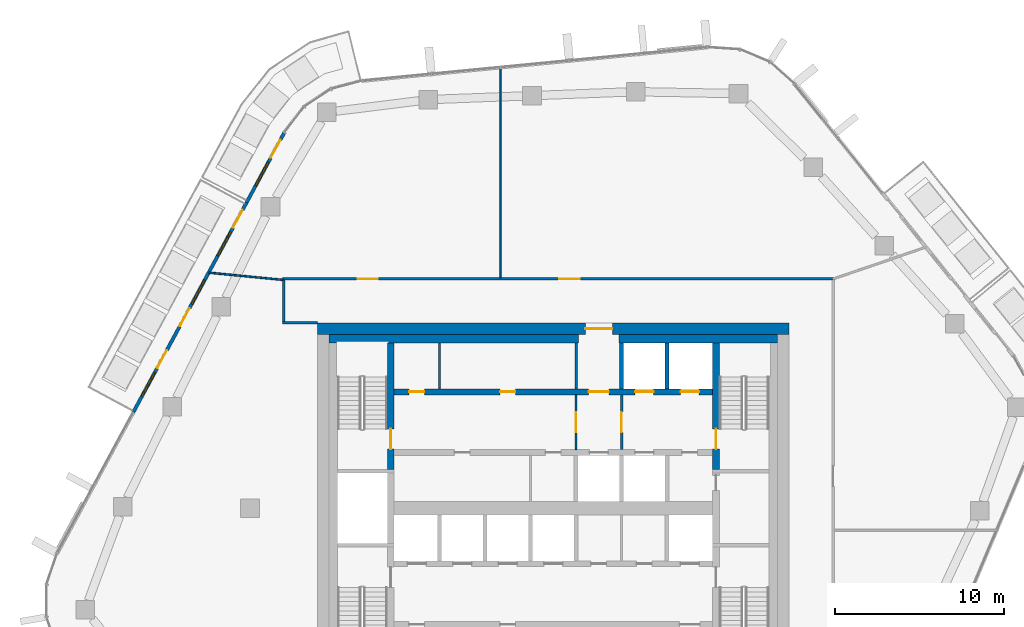
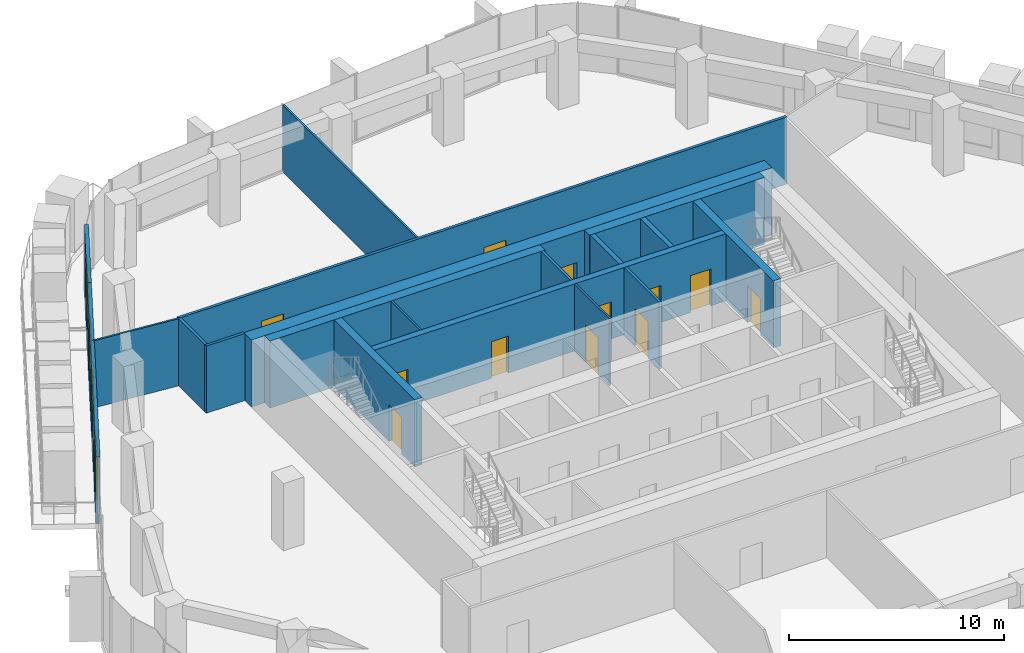
# One storey, part 13 of 20: 19 walls, 16 doors, 4 windows, 20 openings.
"""IFC4 building model written with IfcOpenShell, lengths in metres."""

from ifc_helpers import new_model, si_unit, direction, frame, frame_2d, origin, place, context, subcontext, project, spatial, rectangle, extrude, material, layer, layer_set, type_object, element, fill, save


model = new_model("IFC4")

# Units and contexts
model_context = context("Model", 3, precision=1e-05, world=origin(), true_north=direction((0.0, 1.0)))
body_context = subcontext(model_context, "Body", "Model", "MODEL_VIEW")
ifc_project = project(units=[si_unit("LENGTHUNIT", "METRE"), si_unit("AREAUNIT", "SQUARE_METRE"), si_unit("VOLUMEUNIT", "CUBIC_METRE"), si_unit("PLANEANGLEUNIT", "RADIAN"), si_unit("MASSUNIT", "GRAM", prefix="KILO")], contexts=[model_context])

# Site, building, storey
site_placement = place(None, origin())
site = spatial("IfcSite", under=ifc_project, at=site_placement, CompositionType="ELEMENT")
building_placement = place(site_placement, origin())
building = spatial("IfcBuilding", under=site, at=building_placement, Name="Dongbaek Canopy Tower", CompositionType="ELEMENT")
storey_placement = place(building_placement, frame((0.0, 0.0, 258.0)))
storey = spatial("IfcBuildingStorey", under=building, at=storey_placement, Name="L54", CompositionType="ELEMENT", Elevation=258.0)

# Wall, openings, doors
ifc_material_1 = material(Name="Concrete C60/75", Category="concrete")
ifc_layer_1 = layer(ifc_material_1, 0.35009765625)
ifc_layer_set_1 = layer_set([ifc_layer_1], Name="Core lobby wall 350 Concrete C60/75")
wall_type_1 = type_object("IfcWallType", Name="Core lobby wall 350 Concrete C60/75", PredefinedType="SHEAR", material=ifc_layer_set_1)
wall_1_placement = place(storey_placement, frame((-9.449951171875, 6.89990234375, 0.0), z_axis=(0.0, 0.0, 1.0), x_axis=(1.0, 0.0, 0.0)))
wall_1 = element("IfcWall", 1, at=wall_1_placement, inside=storey, type_object=wall_type_1, Name="Core wall", PredefinedType="SHEAR", context=body_context, shape_type="SweptSolid", body=[
    extrude(rectangle(XDim=18.89990234375, YDim=0.35009765625, at=frame_2d((9.449951171875, 0.0))), origin(), (0.0, 0.0, 1.0), 3.820068359375),
])
opening_1_placement = place(wall_1_placement, frame((11.550048828125, 0.0, 0.0)))
opening_1 = element("IfcOpeningElement", 2, at=opening_1_placement, cuts=wall_1, Name="Opening L54-D010", PredefinedType="OPENING", context=body_context, shape_type="SweptSolid", body=[
    extrude(rectangle(XDim=1.199951171875, YDim=2.10009765625, at=frame_2d((0.60009765625, 1.050048828125))), frame((0.0, 0.18505859375, 0.0), z_axis=(0.0, -1.0, 0.0), x_axis=(1.0, 0.0, 0.0)), (0.0, 0.0, 1.0), 0.3701171875),
])
opening_2_placement = place(wall_1_placement, frame((14.300048828125, 0.0, 0.0)))
opening_2 = element("IfcOpeningElement", 3, at=opening_2_placement, cuts=wall_1, Name="Opening L54-D011", PredefinedType="OPENING", context=body_context, shape_type="SweptSolid", body=[
    extrude(rectangle(XDim=1.10009765625, YDim=2.10009765625, at=frame_2d((0.550048828125, 1.050048828125))), frame((0.0, 0.18505859375, 0.0), z_axis=(0.0, -1.0, 0.0), x_axis=(1.0, 0.0, 0.0)), (0.0, 0.0, 1.0), 0.3701171875),
])
opening_3_placement = place(wall_1_placement, frame((17.0, 0.0, 0.0)))
opening_3 = element("IfcOpeningElement", 4, at=opening_3_placement, cuts=wall_1, Name="Opening L54-D012", PredefinedType="OPENING", context=body_context, shape_type="SweptSolid", body=[
    extrude(rectangle(XDim=1.10009765625, YDim=2.10009765625, at=frame_2d((0.550048828125, 1.050048828125))), frame((0.0, 0.18505859375, 0.0), z_axis=(0.0, -1.0, 0.0), x_axis=(1.0, 0.0, 0.0)), (0.0, 0.0, 1.0), 0.3701171875),
])
opening_4_placement = place(wall_1_placement, frame((0.89990234375, 0.0, 0.0)))
opening_4 = element("IfcOpeningElement", 5, at=opening_4_placement, cuts=wall_1, Name="Opening L54-D023", PredefinedType="OPENING", context=body_context, shape_type="SweptSolid", body=[
    extrude(rectangle(XDim=0.89990234375, YDim=2.10009765625, at=frame_2d((0.449951171875, 1.050048828125))), frame((0.0, 0.18505859375, 0.0), z_axis=(0.0, -1.0, 0.0), x_axis=(1.0, 0.0, 0.0)), (0.0, 0.0, 1.0), 0.3701171875),
])
opening_5_placement = place(wall_1_placement, frame((6.300048828125, 0.0, 0.0)))
opening_5 = element("IfcOpeningElement", 6, at=opening_5_placement, cuts=wall_1, Name="Opening L54-D024", PredefinedType="OPENING", context=body_context, shape_type="SweptSolid", body=[
    extrude(rectangle(XDim=0.89990234375, YDim=2.10009765625, at=frame_2d((0.449951171875, 1.050048828125))), frame((0.0, 0.18505859375, 0.0), z_axis=(0.0, -1.0, 0.0), x_axis=(1.0, 0.0, 0.0)), (0.0, 0.0, 1.0), 0.3701171875),
])
ifc_material_2 = material(Name="Steel", Category="steel")
door_type_1 = type_object("IfcDoorType", Name="Core room door 900 x 2100", OperationType="SINGLE_SWING_LEFT", PredefinedType="DOOR", material=ifc_material_2)
door_1_placement = place(opening_4_placement, origin())
door_1 = element("IfcDoor", 7, at=door_1_placement, inside=storey, type_object=door_type_1, Name="Door L54-D023", OperationType="SINGLE_SWING_RIGHT", OverallHeight=2.10009765625, OverallWidth=0.89990234375, PredefinedType="DOOR", context=body_context, shape_type="SweptSolid", body=[
    extrude(rectangle(XDim=0.89990234375, YDim=2.10009765625, at=frame_2d((0.449951171875, 1.050048828125))), frame((0.0, 0.02490234375, 0.0), z_axis=(0.0, -1.0, 0.0), x_axis=(1.0, 0.0, 0.0)), (0.0, 0.0, 1.0), 0.050048828125),
])
fill(opening_4, door_1)
door_2_placement = place(opening_5_placement, origin())
door_2 = element("IfcDoor", 8, at=door_2_placement, inside=storey, type_object=door_type_1, Name="Door L54-D024", OperationType="SINGLE_SWING_LEFT", OverallHeight=2.10009765625, OverallWidth=0.89990234375, PredefinedType="DOOR", context=body_context, shape_type="SweptSolid", body=[
    extrude(rectangle(XDim=0.89990234375, YDim=2.10009765625, at=frame_2d((0.449951171875, 1.050048828125))), frame((0.0, 0.02490234375, 0.0), z_axis=(0.0, -1.0, 0.0), x_axis=(1.0, 0.0, 0.0)), (0.0, 0.0, 1.0), 0.050048828125),
])
fill(opening_5, door_2)
ifc_material_3 = material(Name="Steel", Category="steel")
door_type_2 = type_object("IfcDoorType", Name="Fire lobby door 1200 x 2100", OperationType="SINGLE_SWING_LEFT", PredefinedType="DOOR", material=ifc_material_3)
door_3_placement = place(opening_1_placement, origin())
door_3 = element("IfcDoor", 9, at=door_3_placement, inside=storey, type_object=door_type_2, Name="Door L54-D010", OperationType="SINGLE_SWING_LEFT", OverallHeight=2.10009765625, OverallWidth=1.199951171875, PredefinedType="DOOR", context=body_context, shape_type="SweptSolid", body=[
    extrude(rectangle(XDim=1.199951171875, YDim=2.10009765625, at=frame_2d((0.60009765625, 1.050048828125))), frame((0.0, 0.02490234375, 0.0), z_axis=(0.0, -1.0, 0.0), x_axis=(1.0, 0.0, 0.0)), (0.0, 0.0, 1.0), 0.050048828125),
])
fill(opening_1, door_3)
ifc_material_4 = material(Name="Stainless steel", Category="steel")
door_type_3 = type_object("IfcDoorType", Name="Lift landing door 1100 x 2100", OperationType="DOUBLE_DOOR_SLIDING", PredefinedType="DOOR", material=ifc_material_4)
door_4_placement = place(opening_2_placement, origin())
door_4 = element("IfcDoor", 10, at=door_4_placement, inside=storey, type_object=door_type_3, Name="Landing door FF1", OperationType="DOUBLE_DOOR_SLIDING", OverallHeight=2.10009765625, OverallWidth=1.10009765625, PredefinedType="DOOR", context=body_context, shape_type="SweptSolid", body=[
    extrude(rectangle(XDim=1.10009765625, YDim=2.10009765625, at=frame_2d((0.550048828125, 1.050048828125))), frame((0.0, 0.02490234375, 0.0), z_axis=(0.0, -1.0, 0.0), x_axis=(1.0, 0.0, 0.0)), (0.0, 0.0, 1.0), 0.050048828125),
])
fill(opening_2, door_4)
door_5_placement = place(opening_3_placement, origin())
door_5 = element("IfcDoor", 11, at=door_5_placement, inside=storey, type_object=door_type_3, Name="Landing door FF2", OperationType="DOUBLE_DOOR_SLIDING", OverallHeight=2.10009765625, OverallWidth=1.10009765625, PredefinedType="DOOR", context=body_context, shape_type="SweptSolid", body=[
    extrude(rectangle(XDim=1.10009765625, YDim=2.10009765625, at=frame_2d((0.550048828125, 1.050048828125))), frame((0.0, 0.02490234375, 0.0), z_axis=(0.0, -1.0, 0.0), x_axis=(1.0, 0.0, 0.0)), (0.0, 0.0, 1.0), 0.050048828125),
])
fill(opening_3, door_5)

# Wall, opening, door
ifc_material_5 = material(Name="Concrete C70/85", Category="concrete")
ifc_layer_2 = layer(ifc_material_5, 0.699951171875)
ifc_layer_set_2 = layer_set([ifc_layer_2], Name="Core outer wall 700 Concrete C70/85")
wall_type_2 = type_object("IfcWallType", Name="Core outer wall 700 Concrete C70/85", PredefinedType="SHEAR", material=ifc_layer_set_2)
wall_2_placement = place(storey_placement, frame((-14.0, 10.64990234375, 0.0), z_axis=(0.0, 0.0, 1.0), x_axis=(1.0, 0.0, 0.0)))
wall_2 = element("IfcWall", 12, at=wall_2_placement, inside=storey, type_object=wall_type_2, Name="Core wall", PredefinedType="SHEAR", context=body_context, shape_type="SweptSolid", body=[
    extrude(rectangle(XDim=28.0, YDim=0.699951171875, at=frame_2d((14.0, 0.0))), origin(), (0.0, 0.0, 1.0), 3.820068359375),
])
opening_6_placement = place(wall_2_placement, frame((15.89990234375, 0.0, 0.0)))
opening_6 = element("IfcOpeningElement", 13, at=opening_6_placement, cuts=wall_2, Name="Opening L54-D009", PredefinedType="OPENING", context=body_context, shape_type="SweptSolid", body=[
    extrude(rectangle(XDim=1.60009765625, YDim=2.10009765625, at=frame_2d((0.800048828125, 1.050048828125))), frame((0.0, 0.35986328125, 0.0), z_axis=(0.0, -1.0, 0.0), x_axis=(1.0, 0.0, 0.0)), (0.0, 0.0, 1.0), 0.719970703125),
])
ifc_material_6 = material(Name="Steel", Category="steel")
door_type_4 = type_object("IfcDoorType", Name="Core exit door 1600 x 2100", OperationType="DOUBLE_DOOR_SINGLE_SWING", PredefinedType="DOOR", material=ifc_material_6)
door_6_placement = place(opening_6_placement, origin())
door_6 = element("IfcDoor", 14, at=door_6_placement, inside=storey, type_object=door_type_4, Name="Core exit door", OperationType="DOUBLE_DOOR_SINGLE_SWING", OverallHeight=2.10009765625, OverallWidth=1.60009765625, PredefinedType="DOOR", context=body_context, shape_type="SweptSolid", body=[
    extrude(rectangle(XDim=1.60009765625, YDim=2.10009765625, at=frame_2d((0.800048828125, 1.050048828125))), frame((0.0, 0.02490234375, 0.0), z_axis=(0.0, -1.0, 0.0), x_axis=(1.0, 0.0, 0.0)), (0.0, 0.0, 1.0), 0.050048828125),
])
fill(opening_6, door_6)

# Walls
ifc_material_7 = material(Name="Concrete C60/75", Category="concrete")
ifc_layer_3 = layer(ifc_material_7, 0.5)
ifc_layer_set_3 = layer_set([ifc_layer_3], Name="Core wall lining 500 Concrete C60/75")
wall_type_3 = type_object("IfcWallType", Name="Core wall lining 500 Concrete C60/75", PredefinedType="SHEAR", material=ifc_layer_set_3)
wall_3_placement = place(storey_placement, frame((-13.300048828125, 10.050048828125, 0.0), z_axis=(0.0, 0.0, 1.0), x_axis=(1.0, 0.0, 0.0)))
element("IfcWall", 15, at=wall_3_placement, inside=storey, type_object=wall_type_3, Name="Core wall lining", PredefinedType="SHEAR", context=body_context, shape_type="SweptSolid", body=[
    extrude(rectangle(XDim=14.800048828125, YDim=0.5, at=frame_2d((7.39990234375, 0.0))), origin(), (0.0, 0.0, 1.0), 3.820068359375),
])
wall_4_placement = place(storey_placement, frame((3.89990234375, 10.050048828125, 0.0), z_axis=(0.0, 0.0, 1.0), x_axis=(1.0, 0.0, 0.0)))
element("IfcWall", 16, at=wall_4_placement, inside=storey, type_object=wall_type_3, Name="Core wall lining", PredefinedType="SHEAR", context=body_context, shape_type="SweptSolid", body=[
    extrude(rectangle(XDim=9.400146484375, YDim=0.5, at=frame_2d((4.7001953125, 0.0))), origin(), (0.0, 0.0, 1.0), 3.820068359375),
])
ifc_material_8 = material(Name="Gypsum board partition, steel stud, 2 x 15 mm fire board", Category="steel")
ifc_layer_4 = layer(ifc_material_8, 0.14990234375)
ifc_layer_set_4 = layer_set([ifc_layer_4], Name="Fire-rated partition 150 gypsum board")
wall_type_4 = type_object("IfcWallType", Name="Fire-rated partition 150 gypsum board", PredefinedType="PARTITIONING", material=ifc_layer_set_4)
wall_5_placement = place(storey_placement, frame((-16.074951171875, 10.9990234375, 0.0), z_axis=(0.0, 0.0, 1.0), x_axis=(1.0, 0.0, 0.0)))
element("IfcWall", 17, at=wall_5_placement, inside=storey, type_object=wall_type_4, Name="Corridor partition", PredefinedType="PARTITIONING", context=body_context, shape_type="SweptSolid", body=[
    extrude(rectangle(XDim=2.074951171875, YDim=0.14990234375, at=frame_2d((1.03759765625, 0.0))), origin(), (0.0, 0.0, 1.0), 3.820068359375),
])

# Wall, openings, doors
wall_6_placement = place(storey_placement, frame((-16.074951171875, 13.60009765625, 0.0), z_axis=(0.0, 0.0, 1.0), x_axis=(1.0, 0.0, 0.0)))
wall_6 = element("IfcWall", 18, at=wall_6_placement, inside=storey, type_object=wall_type_4, Name="Corridor partition", PredefinedType="PARTITIONING", context=body_context, shape_type="SweptSolid", body=[
    extrude(rectangle(XDim=32.75, YDim=0.14990234375, at=frame_2d((16.375, 0.0))), origin(), (0.0, 0.0, 1.0), 3.820068359375),
])
opening_7_placement = place(wall_6_placement, frame((16.43017578125, 0.0, 0.0)))
opening_7 = element("IfcOpeningElement", 19, at=opening_7_placement, cuts=wall_6, Name="Opening L54-D006", PredefinedType="OPENING", context=body_context, shape_type="SweptSolid", body=[
    extrude(rectangle(XDim=1.199951171875, YDim=2.10009765625, at=frame_2d((0.60009765625, 1.050048828125))), frame((0.0, 0.0849609375, 0.0), z_axis=(0.0, -1.0, 0.0), x_axis=(1.0, 0.0, 0.0)), (0.0, 0.0, 1.0), 0.169921875),
])
opening_8_placement = place(wall_6_placement, frame((4.465087890625, 0.0, 0.0)))
opening_8 = element("IfcOpeningElement", 20, at=opening_8_placement, cuts=wall_6, Name="Opening L54-D007", PredefinedType="OPENING", context=body_context, shape_type="SweptSolid", body=[
    extrude(rectangle(XDim=1.199951171875, YDim=2.10009765625, at=frame_2d((0.60009765625, 1.050048828125))), frame((0.0, 0.0849609375, 0.0), z_axis=(0.0, -1.0, 0.0), x_axis=(1.0, 0.0, 0.0)), (0.0, 0.0, 1.0), 0.169921875),
])
ifc_material_9 = material(Name="Timber veneered door leaf", Category="wood")
door_type_5 = type_object("IfcDoorType", Name="Room door 1200 x 2100", OperationType="SINGLE_SWING_LEFT", PredefinedType="DOOR", material=ifc_material_9)
door_7_placement = place(opening_7_placement, origin())
door_7 = element("IfcDoor", 21, at=door_7_placement, inside=storey, type_object=door_type_5, Name="Door L54-D006", OperationType="SINGLE_SWING_LEFT", OverallHeight=2.10009765625, OverallWidth=1.199951171875, PredefinedType="DOOR", context=body_context, shape_type="SweptSolid", body=[
    extrude(rectangle(XDim=1.199951171875, YDim=2.10009765625, at=frame_2d((0.60009765625, 1.050048828125))), frame((0.0, 0.02490234375, 0.0), z_axis=(0.0, -1.0, 0.0), x_axis=(1.0, 0.0, 0.0)), (0.0, 0.0, 1.0), 0.050048828125),
])
fill(opening_7, door_7)
door_8_placement = place(opening_8_placement, origin())
door_8 = element("IfcDoor", 22, at=door_8_placement, inside=storey, type_object=door_type_5, Name="Door L54-D007", OperationType="SINGLE_SWING_RIGHT", OverallHeight=2.10009765625, OverallWidth=1.199951171875, PredefinedType="DOOR", context=body_context, shape_type="SweptSolid", body=[
    extrude(rectangle(XDim=1.199951171875, YDim=2.10009765625, at=frame_2d((0.60009765625, 1.050048828125))), frame((0.0, 0.02490234375, 0.0), z_axis=(0.0, -1.0, 0.0), x_axis=(1.0, 0.0, 0.0)), (0.0, 0.0, 1.0), 0.050048828125),
])
fill(opening_8, door_8)

# Wall
wall_7_placement = place(storey_placement, frame((-16.0, 11.073974609375, 0.0), z_axis=(0.0, 0.0, 1.0), x_axis=(0.0, 1.0, 0.0)))
element("IfcWall", 23, at=wall_7_placement, inside=storey, type_object=wall_type_4, Name="Corridor partition", PredefinedType="PARTITIONING", context=body_context, shape_type="SweptSolid", body=[
    extrude(rectangle(XDim=2.450927734375, YDim=0.14990234375, at=frame_2d((1.2255859375, 0.0))), origin(), (0.0, 0.0, 1.0), 3.820068359375),
])

# Wall, opening, door
wall_8_placement = place(storey_placement, frame((4.050048828125, 6.72509765625, 0.0), z_axis=(0.0, 0.0, 1.0), x_axis=(0.0, -1.0, 0.0)))
wall_8 = element("IfcWall", 24, at=wall_8_placement, inside=storey, type_object=wall_type_4, Name="Fire lobby partition", PredefinedType="PARTITIONING", context=body_context, shape_type="SweptSolid", body=[
    extrude(rectangle(XDim=3.25, YDim=0.14990234375, at=frame_2d((1.625, 0.0))), origin(), (0.0, 0.0, 1.0), 3.820068359375),
])
opening_9_placement = place(wall_8_placement, frame((1.02490234375, 0.0, 0.0)))
opening_9 = element("IfcOpeningElement", 25, at=opening_9_placement, cuts=wall_8, Name="Opening L54-D036", PredefinedType="OPENING", context=body_context, shape_type="SweptSolid", body=[
    extrude(rectangle(XDim=1.199951171875, YDim=2.10009765625, at=frame_2d((0.60009765625, 1.050048828125))), frame((0.0, 0.0849609375, 0.0), z_axis=(0.0, -1.0, 0.0), x_axis=(1.0, 0.0, 0.0)), (0.0, 0.0, 1.0), 0.169921875),
])
door_9_placement = place(opening_9_placement, origin())
door_9 = element("IfcDoor", 26, at=door_9_placement, inside=storey, type_object=door_type_2, Name="Door L54-D036", OperationType="SINGLE_SWING_RIGHT", OverallHeight=2.10009765625, OverallWidth=1.199951171875, PredefinedType="DOOR", context=body_context, shape_type="SweptSolid", body=[
    extrude(rectangle(XDim=1.199951171875, YDim=2.10009765625, at=frame_2d((0.60009765625, 1.050048828125))), frame((0.0, 0.02490234375, 0.0), z_axis=(0.0, -1.0, 0.0), x_axis=(1.0, 0.0, 0.0)), (0.0, 0.0, 1.0), 0.050048828125),
])
fill(opening_9, door_9)

# Walls
wall_9_placement = place(storey_placement, frame((1.35009765625, 7.074951171875, 0.0), z_axis=(0.0, 0.0, 1.0), x_axis=(0.0, 1.0, 0.0)))
element("IfcWall", 27, at=wall_9_placement, inside=storey, type_object=wall_type_4, Name="Fire lobby partition", PredefinedType="PARTITIONING", context=body_context, shape_type="SweptSolid", body=[
    extrude(rectangle(XDim=2.72509765625, YDim=0.14990234375, at=frame_2d((1.362548828125, 0.0))), origin(), (0.0, 0.0, 1.0), 3.820068359375),
])
ifc_material_10 = material(Name="Concrete C40/50", Category="concrete")
ifc_layer_5 = layer(ifc_material_10, 0.25)
ifc_layer_set_5 = layer_set([ifc_layer_5], Name="Lift shaft wall 250 Concrete C40/50")
wall_type_5 = type_object("IfcWallType", Name="Lift shaft wall 250 Concrete C40/50", PredefinedType="SOLIDWALL", material=ifc_layer_set_5)
for number, where, z_axis, x_axis, name in (
    (28, (6.75, 7.074951171875, 0.0), (0.0, 0.0, 1.0), (0.0, 1.0, 0.0), "Lift shaft wall"),
    (29, (4.050048828125, 7.074951171875, 0.0), (0.0, 0.0, 1.0), (0.0, 1.0, 0.0), "Lift shaft wall"),
):
    element("IfcWall", number, at=place(storey_placement, frame(where, z_axis=z_axis, x_axis=x_axis)), inside=storey, type_object=wall_type_5, Name=name, PredefinedType="SOLIDWALL", context=body_context, shape_type="SweptSolid", body=[
        extrude(rectangle(XDim=2.72509765625, YDim=0.25, at=frame_2d((1.362548828125, 0.0))), origin(), (0.0, 0.0, 1.0), 3.820068359375),
    ])
ifc_material_11 = material(Name="Gypsum board partition, steel stud, 2 x 12.5 mm board", Category="steel")
ifc_layer_6 = layer(ifc_material_11, 0.10009765625)
ifc_layer_set_6 = layer_set([ifc_layer_6], Name="Partition 100 gypsum board")
wall_type_6 = type_object("IfcWallType", Name="Partition 100 gypsum board", PredefinedType="PARTITIONING", material=ifc_layer_set_6)
wall_10_placement = place(storey_placement, frame((-3.14111328125, 13.675048828125, 0.0), z_axis=(0.0, 0.0, 1.0), x_axis=(0.0, 1.0, 0.0)))
element("IfcWall", 30, at=wall_10_placement, inside=storey, type_object=wall_type_6, Name="Partition", PredefinedType="PARTITIONING", context=body_context, shape_type="SweptSolid", body=[
    extrude(rectangle(XDim=12.466064453125, YDim=0.10009765625, at=frame_2d((6.23291015625, 0.0))), origin(), (0.0, 0.0, 1.0), 3.820068359375),
])
wall_11_placement = place(storey_placement, frame((-20.4296875, 13.972412109375, 0.0), z_axis=(0.0, 0.0, 1.0), x_axis=(0.995312443594, -0.096711631286, 0.0)))
element("IfcWall", 31, at=wall_11_placement, inside=storey, type_object=wall_type_6, Name="Partition", PredefinedType="PARTITIONING", context=body_context, shape_type="SweptSolid", body=[
    extrude(rectangle(XDim=4.450439453125, YDim=0.10009765625, at=frame_2d((2.22509765625, 0.0))), origin(), (0.0, 0.0, 1.0), 3.820068359375),
])

# Wall, opening, door
wall_12_placement = place(storey_placement, frame((1.35009765625, 6.72509765625, 0.0), z_axis=(0.0, 0.0, 1.0), x_axis=(0.0, -1.0, 0.0)))
wall_12 = element("IfcWall", 32, at=wall_12_placement, inside=storey, type_object=wall_type_6, Name="Core partition", PredefinedType="PARTITIONING", context=body_context, shape_type="SweptSolid", body=[
    extrude(rectangle(XDim=3.25, YDim=0.10009765625, at=frame_2d((1.625, 0.0))), origin(), (0.0, 0.0, 1.0), 3.820068359375),
])
opening_10_placement = place(wall_12_placement, frame((1.02490234375, 0.0, 0.0)))
opening_10 = element("IfcOpeningElement", 33, at=opening_10_placement, cuts=wall_12, Name="Opening L54-D035", PredefinedType="OPENING", context=body_context, shape_type="SweptSolid", body=[
    extrude(rectangle(XDim=1.199951171875, YDim=2.10009765625, at=frame_2d((0.60009765625, 1.050048828125))), frame((0.0, 0.06005859375, 0.0), z_axis=(0.0, -1.0, 0.0), x_axis=(1.0, 0.0, 0.0)), (0.0, 0.0, 1.0), 0.1201171875),
])
door_10_placement = place(opening_10_placement, origin())
door_10 = element("IfcDoor", 34, at=door_10_placement, inside=storey, type_object=door_type_2, Name="Door L54-D035", OperationType="SINGLE_SWING_LEFT", OverallHeight=2.10009765625, OverallWidth=1.199951171875, PredefinedType="DOOR", context=body_context, shape_type="SweptSolid", body=[
    extrude(rectangle(XDim=1.199951171875, YDim=2.10009765625, at=frame_2d((0.60009765625, 1.050048828125))), frame((0.0, 0.02490234375, 0.0), z_axis=(0.0, -1.0, 0.0), x_axis=(1.0, 0.0, 0.0)), (0.0, 0.0, 1.0), 0.050048828125),
])
fill(opening_10, door_10)

# Wall
wall_13_placement = place(storey_placement, frame((-6.75, 7.074951171875, 0.0), z_axis=(0.0, 0.0, 1.0), x_axis=(0.0, 1.0, 0.0)))
element("IfcWall", 35, at=wall_13_placement, inside=storey, type_object=wall_type_6, Name="Core partition", PredefinedType="PARTITIONING", context=body_context, shape_type="SweptSolid", body=[
    extrude(rectangle(XDim=2.72509765625, YDim=0.10009765625, at=frame_2d((1.362548828125, 0.0))), origin(), (0.0, 0.0, 1.0), 3.820068359375),
])

# Wall, opening, door
ifc_material_12 = material(Name="Concrete C60/75", Category="concrete")
ifc_layer_7 = layer(ifc_material_12, 0.39990234375)
ifc_layer_set_7 = layer_set([ifc_layer_7], Name="Stair wall 400 Concrete C60/75")
wall_type_7 = type_object("IfcWallType", Name="Stair wall 400 Concrete C60/75", PredefinedType="SHEAR", material=ifc_layer_set_7)
wall_14_placement = place(storey_placement, frame((9.64990234375, 9.800048828125, 0.0), z_axis=(0.0, 0.0, 1.0), x_axis=(0.0, -1.0, 0.0)))
wall_14 = element("IfcWall", 36, at=wall_14_placement, inside=storey, type_object=wall_type_7, Name="Stair wall", PredefinedType="SHEAR", context=body_context, shape_type="SweptSolid", body=[
    extrude(rectangle(XDim=7.5, YDim=0.39990234375, at=frame_2d((3.75, 0.0))), origin(), (0.0, 0.0, 1.0), 3.820068359375),
])
opening_11_placement = place(wall_14_placement, frame((5.10009765625, 0.0, 0.0)))
opening_11 = element("IfcOpeningElement", 37, at=opening_11_placement, cuts=wall_14, Name="Opening L54-D031", PredefinedType="OPENING", context=body_context, shape_type="SweptSolid", body=[
    extrude(rectangle(XDim=1.199951171875, YDim=2.10009765625, at=frame_2d((0.60009765625, 1.050048828125))), frame((0.0, 0.2099609375, 0.0), z_axis=(0.0, -1.0, 0.0), x_axis=(1.0, 0.0, 0.0)), (0.0, 0.0, 1.0), 0.419921875),
])
ifc_material_13 = material(Name="Steel", Category="steel")
door_type_6 = type_object("IfcDoorType", Name="Stair door 1200 x 2100", OperationType="SINGLE_SWING_LEFT", PredefinedType="DOOR", material=ifc_material_13)
door_11_placement = place(opening_11_placement, origin())
door_11 = element("IfcDoor", 38, at=door_11_placement, inside=storey, type_object=door_type_6, Name="Stair A door", OperationType="SINGLE_SWING_LEFT", OverallHeight=2.10009765625, OverallWidth=1.199951171875, PredefinedType="DOOR", context=body_context, shape_type="SweptSolid", body=[
    extrude(rectangle(XDim=1.199951171875, YDim=2.10009765625, at=frame_2d((0.60009765625, 1.050048828125))), frame((0.0, 0.02490234375, 0.0), z_axis=(0.0, -1.0, 0.0), x_axis=(1.0, 0.0, 0.0)), (0.0, 0.0, 1.0), 0.050048828125),
])
fill(opening_11, door_11)

wall_15_placement = place(storey_placement, frame((-9.64990234375, 2.300048828125, 0.0), z_axis=(0.0, 0.0, 1.0), x_axis=(0.0, 1.0, 0.0)))
wall_15 = element("IfcWall", 39, at=wall_15_placement, inside=storey, type_object=wall_type_7, Name="Stair wall", PredefinedType="SHEAR", context=body_context, shape_type="SweptSolid", body=[
    extrude(rectangle(XDim=7.5, YDim=0.39990234375, at=frame_2d((3.75, 0.0))), origin(), (0.0, 0.0, 1.0), 3.820068359375),
])
opening_12_placement = place(wall_15_placement, frame((1.199951171875, 0.0, 0.0)))
opening_12 = element("IfcOpeningElement", 40, at=opening_12_placement, cuts=wall_15, Name="Opening L54-D032", PredefinedType="OPENING", context=body_context, shape_type="SweptSolid", body=[
    extrude(rectangle(XDim=1.199951171875, YDim=2.10009765625, at=frame_2d((0.60009765625, 1.050048828125))), frame((0.0, 0.2099609375, 0.0), z_axis=(0.0, -1.0, 0.0), x_axis=(1.0, 0.0, 0.0)), (0.0, 0.0, 1.0), 0.419921875),
])
door_12_placement = place(opening_12_placement, origin())
door_12 = element("IfcDoor", 41, at=door_12_placement, inside=storey, type_object=door_type_6, Name="Stair C door", OperationType="SINGLE_SWING_RIGHT", OverallHeight=2.10009765625, OverallWidth=1.199951171875, PredefinedType="DOOR", context=body_context, shape_type="SweptSolid", body=[
    extrude(rectangle(XDim=1.199951171875, YDim=2.10009765625, at=frame_2d((0.60009765625, 1.050048828125))), frame((0.0, 0.02490234375, 0.0), z_axis=(0.0, -1.0, 0.0), x_axis=(1.0, 0.0, 0.0)), (0.0, 0.0, 1.0), 0.050048828125),
])
fill(opening_12, door_12)

# Wall, openings, doors, windows
ifc_material_14 = material(Name="Aluminium window wall", Category="aluminium")
ifc_layer_8 = layer(ifc_material_14, 0.199951171875)
ifc_layer_set_8 = layer_set([ifc_layer_8], Name="Window wall 200")
wall_type_8 = type_object("IfcWallType", Name="Window wall 200", PredefinedType="SOLIDWALL", material=ifc_layer_set_8)
wall_16_placement = place(storey_placement, frame((-18.20361328125, 18.13623046875, 0.0), z_axis=(0.0, 0.0, 1.0), x_axis=(-0.475207525375, -0.87987374539, 0.0)))
wall_16 = element("IfcWall", 42, at=wall_16_placement, inside=storey, type_object=wall_type_8, Name="Window wall L54 2", PredefinedType="SOLIDWALL", context=body_context, shape_type="SweptSolid", body=[
    extrude(rectangle(XDim=14.18994140625, YDim=0.199951171875, at=frame_2d((7.094970703125, 0.0))), origin(), (0.0, 0.0, 1.0), 3.820068359375),
])
opening_13_placement = place(wall_16_placement, frame((2.0, 0.0, 0.60009765625)))
opening_13 = element("IfcOpeningElement", 43, at=opening_13_placement, cuts=wall_16, Name="Opening W1", PredefinedType="OPENING", context=body_context, shape_type="SweptSolid", body=[
    extrude(rectangle(XDim=1.60009765625, YDim=2.39990234375, at=frame_2d((0.800048828125, 1.199951171875))), frame((0.0, 0.10986328125, 0.0), z_axis=(0.0, -1.0, 0.0), x_axis=(1.0, 0.0, 0.0)), (0.0, 0.0, 1.0), 0.219970703125),
])
opening_14_placement = place(wall_16_placement, frame((0.5, 0.0, 0.0)))
opening_14 = element("IfcOpeningElement", 44, at=opening_14_placement, cuts=wall_16, Name="Opening L54-B04", PredefinedType="OPENING", context=body_context, shape_type="SweptSolid", body=[
    extrude(rectangle(XDim=1.199951171875, YDim=2.39990234375, at=frame_2d((0.60009765625, 1.199951171875))), frame((0.0, 0.10986328125, 0.0), z_axis=(0.0, -1.0, 0.0), x_axis=(1.0, 0.0, 0.0)), (0.0, 0.0, 1.0), 0.219970703125),
])
opening_15_placement = place(wall_16_placement, frame((5.22998046875, 0.0, 0.60009765625)))
opening_15 = element("IfcOpeningElement", 45, at=opening_15_placement, cuts=wall_16, Name="Opening W1", PredefinedType="OPENING", context=body_context, shape_type="SweptSolid", body=[
    extrude(rectangle(XDim=1.60009765625, YDim=2.39990234375, at=frame_2d((0.800048828125, 1.199951171875))), frame((0.0, 0.10986328125, 0.0), z_axis=(0.0, -1.0, 0.0), x_axis=(1.0, 0.0, 0.0)), (0.0, 0.0, 1.0), 0.219970703125),
])
opening_16_placement = place(wall_16_placement, frame((7.130126953125, 0.0, 0.0)))
opening_16 = element("IfcOpeningElement", 46, at=opening_16_placement, cuts=wall_16, Name="Opening L54-B05", PredefinedType="OPENING", context=body_context, shape_type="SweptSolid", body=[
    extrude(rectangle(XDim=1.199951171875, YDim=2.39990234375, at=frame_2d((0.60009765625, 1.199951171875))), frame((0.0, 0.10986328125, 0.0), z_axis=(0.0, -1.0, 0.0), x_axis=(1.0, 0.0, 0.0)), (0.0, 0.0, 1.0), 0.219970703125),
])
opening_17_placement = place(wall_16_placement, frame((11.4599609375, 0.0, 0.60009765625)))
opening_17 = element("IfcOpeningElement", 47, at=opening_17_placement, cuts=wall_16, Name="Opening W1", PredefinedType="OPENING", context=body_context, shape_type="SweptSolid", body=[
    extrude(rectangle(XDim=1.60009765625, YDim=2.39990234375, at=frame_2d((0.800048828125, 1.199951171875))), frame((0.0, 0.10986328125, 0.0), z_axis=(0.0, -1.0, 0.0), x_axis=(1.0, 0.0, 0.0)), (0.0, 0.0, 1.0), 0.219970703125),
])
opening_18_placement = place(wall_16_placement, frame((9.9599609375, 0.0, 0.0)))
opening_18 = element("IfcOpeningElement", 48, at=opening_18_placement, cuts=wall_16, Name="Opening L54-B06", PredefinedType="OPENING", context=body_context, shape_type="SweptSolid", body=[
    extrude(rectangle(XDim=1.199951171875, YDim=2.39990234375, at=frame_2d((0.60009765625, 1.199951171875))), frame((0.0, 0.10986328125, 0.0), z_axis=(0.0, -1.0, 0.0), x_axis=(1.0, 0.0, 0.0)), (0.0, 0.0, 1.0), 0.219970703125),
])
ifc_material_15 = material(Name="Clear glazing in aluminium frame", Category="aluminium")
door_type_7 = type_object("IfcDoorType", Name="Balcony door BD1 1200 x 2400", OperationType="SLIDING_TO_LEFT", PredefinedType="DOOR", material=ifc_material_15)
door_13_placement = place(opening_14_placement, origin())
door_13 = element("IfcDoor", 49, at=door_13_placement, inside=storey, type_object=door_type_7, Name="Balcony door L54-B04", OperationType="SLIDING_TO_LEFT", OverallHeight=2.39990234375, OverallWidth=1.199951171875, PredefinedType="DOOR", context=body_context, shape_type="SweptSolid", body=[
    extrude(rectangle(XDim=1.199951171875, YDim=2.39990234375, at=frame_2d((0.60009765625, 1.199951171875))), frame((0.0, 0.02490234375, 0.0), z_axis=(0.0, -1.0, 0.0), x_axis=(1.0, 0.0, 0.0)), (0.0, 0.0, 1.0), 0.050048828125),
])
fill(opening_14, door_13)
door_14_placement = place(opening_16_placement, origin())
door_14 = element("IfcDoor", 50, at=door_14_placement, inside=storey, type_object=door_type_7, Name="Balcony door L54-B05", OperationType="SLIDING_TO_LEFT", OverallHeight=2.39990234375, OverallWidth=1.199951171875, PredefinedType="DOOR", context=body_context, shape_type="SweptSolid", body=[
    extrude(rectangle(XDim=1.199951171875, YDim=2.39990234375, at=frame_2d((0.60009765625, 1.199951171875))), frame((0.0, 0.02490234375, 0.0), z_axis=(0.0, -1.0, 0.0), x_axis=(1.0, 0.0, 0.0)), (0.0, 0.0, 1.0), 0.050048828125),
])
fill(opening_16, door_14)
door_15_placement = place(opening_18_placement, origin())
door_15 = element("IfcDoor", 51, at=door_15_placement, inside=storey, type_object=door_type_7, Name="Balcony door L54-B06", OperationType="SLIDING_TO_LEFT", OverallHeight=2.39990234375, OverallWidth=1.199951171875, PredefinedType="DOOR", context=body_context, shape_type="SweptSolid", body=[
    extrude(rectangle(XDim=1.199951171875, YDim=2.39990234375, at=frame_2d((0.60009765625, 1.199951171875))), frame((0.0, 0.02490234375, 0.0), z_axis=(0.0, -1.0, 0.0), x_axis=(1.0, 0.0, 0.0)), (0.0, 0.0, 1.0), 0.050048828125),
])
fill(opening_18, door_15)
ifc_material_16 = material(Name="Clear glazing in aluminium frame", Category="aluminium")
window_type = type_object("IfcWindowType", Name="Window W1 1600 x 2400", PartitioningType="SINGLE_PANEL", PredefinedType="WINDOW", material=ifc_material_16)
window_1_placement = place(opening_13_placement, origin())
window_1 = element("IfcWindow", 52, at=window_1_placement, inside=storey, type_object=window_type, Name="Window L54 2.1", OverallHeight=2.39990234375, OverallWidth=1.60009765625, PartitioningType="SINGLE_PANEL", PredefinedType="WINDOW", context=body_context, shape_type="SweptSolid", body=[
    extrude(rectangle(XDim=1.60009765625, YDim=2.39990234375, at=frame_2d((0.800048828125, 1.199951171875))), frame((0.0, 0.030029296875, 0.0), z_axis=(0.0, -1.0, 0.0), x_axis=(1.0, 0.0, 0.0)), (0.0, 0.0, 1.0), 0.06005859375),
])
fill(opening_13, window_1)
window_2_placement = place(opening_15_placement, origin())
window_2 = element("IfcWindow", 53, at=window_2_placement, inside=storey, type_object=window_type, Name="Window L54 2.2", OverallHeight=2.39990234375, OverallWidth=1.60009765625, PartitioningType="SINGLE_PANEL", PredefinedType="WINDOW", context=body_context, shape_type="SweptSolid", body=[
    extrude(rectangle(XDim=1.60009765625, YDim=2.39990234375, at=frame_2d((0.800048828125, 1.199951171875))), frame((0.0, 0.030029296875, 0.0), z_axis=(0.0, -1.0, 0.0), x_axis=(1.0, 0.0, 0.0)), (0.0, 0.0, 1.0), 0.06005859375),
])
fill(opening_15, window_2)
window_3_placement = place(opening_17_placement, origin())
window_3 = element("IfcWindow", 54, at=window_3_placement, inside=storey, type_object=window_type, Name="Window L54 2.3", OverallHeight=2.39990234375, OverallWidth=1.60009765625, PartitioningType="SINGLE_PANEL", PredefinedType="WINDOW", context=body_context, shape_type="SweptSolid", body=[
    extrude(rectangle(XDim=1.60009765625, YDim=2.39990234375, at=frame_2d((0.800048828125, 1.199951171875))), frame((0.0, 0.030029296875, 0.0), z_axis=(0.0, -1.0, 0.0), x_axis=(1.0, 0.0, 0.0)), (0.0, 0.0, 1.0), 0.06005859375),
])
fill(opening_17, window_3)

# Wall, openings, door, window
wall_17_placement = place(storey_placement, frame((-15.959716796875, 22.291015625, 0.0), z_axis=(0.0, 0.0, 1.0), x_axis=(-0.47520015235, -0.879877727418, 0.0)))
wall_17 = element("IfcWall", 55, at=wall_17_placement, inside=storey, type_object=wall_type_8, Name="Window wall L54 6", PredefinedType="SOLIDWALL", context=body_context, shape_type="SweptSolid", body=[
    extrude(rectangle(XDim=4.721923828125, YDim=0.199951171875, at=frame_2d((2.36083984375, 0.0))), origin(), (0.0, 0.0, 1.0), 3.820068359375),
])
opening_19_placement = place(wall_17_placement, frame((2.0, 0.0, 0.60009765625)))
opening_19 = element("IfcOpeningElement", 56, at=opening_19_placement, cuts=wall_17, Name="Opening W1", PredefinedType="OPENING", context=body_context, shape_type="SweptSolid", body=[
    extrude(rectangle(XDim=1.60009765625, YDim=2.39990234375, at=frame_2d((0.800048828125, 1.199951171875))), frame((0.0, 0.10986328125, 0.0), z_axis=(0.0, -1.0, 0.0), x_axis=(1.0, 0.0, 0.0)), (0.0, 0.0, 1.0), 0.219970703125),
])
opening_20_placement = place(wall_17_placement, frame((0.5, 0.0, 0.0)))
opening_20 = element("IfcOpeningElement", 57, at=opening_20_placement, cuts=wall_17, Name="Opening L54-B07", PredefinedType="OPENING", context=body_context, shape_type="SweptSolid", body=[
    extrude(rectangle(XDim=1.199951171875, YDim=2.39990234375, at=frame_2d((0.60009765625, 1.199951171875))), frame((0.0, 0.10986328125, 0.0), z_axis=(0.0, -1.0, 0.0), x_axis=(1.0, 0.0, 0.0)), (0.0, 0.0, 1.0), 0.219970703125),
])
door_16_placement = place(opening_20_placement, origin())
door_16 = element("IfcDoor", 58, at=door_16_placement, inside=storey, type_object=door_type_7, Name="Balcony door L54-B07", OperationType="SLIDING_TO_LEFT", OverallHeight=2.39990234375, OverallWidth=1.199951171875, PredefinedType="DOOR", context=body_context, shape_type="SweptSolid", body=[
    extrude(rectangle(XDim=1.199951171875, YDim=2.39990234375, at=frame_2d((0.60009765625, 1.199951171875))), frame((0.0, 0.02490234375, 0.0), z_axis=(0.0, -1.0, 0.0), x_axis=(1.0, 0.0, 0.0)), (0.0, 0.0, 1.0), 0.050048828125),
])
fill(opening_20, door_16)
window_4_placement = place(opening_19_placement, origin())
window_4 = element("IfcWindow", 59, at=window_4_placement, inside=storey, type_object=window_type, Name="Window L54 6.1", OverallHeight=2.39990234375, OverallWidth=1.60009765625, PartitioningType="SINGLE_PANEL", PredefinedType="WINDOW", context=body_context, shape_type="SweptSolid", body=[
    extrude(rectangle(XDim=1.60009765625, YDim=2.39990234375, at=frame_2d((0.800048828125, 1.199951171875))), frame((0.0, 0.030029296875, 0.0), z_axis=(0.0, -1.0, 0.0), x_axis=(1.0, 0.0, 0.0)), (0.0, 0.0, 1.0), 0.06005859375),
])
fill(opening_19, window_4)

save(model, "model.ifc")
